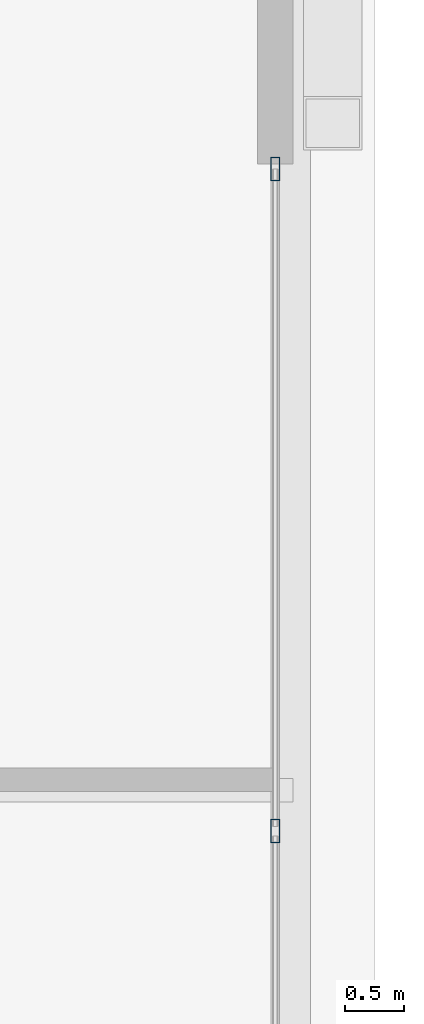
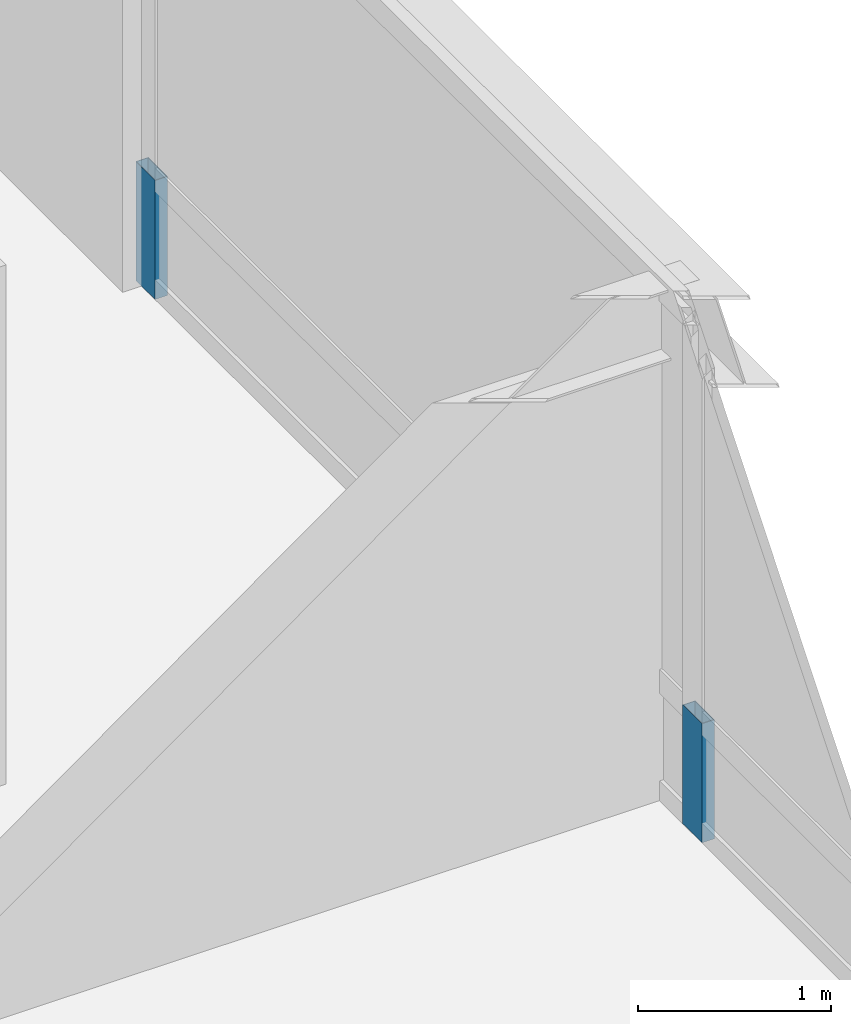
# One storey, part 26 of 35: 2 members, 1 element without a shape of its own.
"""IFC4 building model written with IfcOpenShell, lengths in metres."""

from ifc_helpers import new_model, si_unit, direction, frame, origin, origin_2d, place, context, subcontext, project, spatial, hollow_rectangle, extrude, source, transform, mapped, material, layer, layer_set, material_profile, profile_set, type_object, element, aggregate, save


model = new_model("IFC4")

# Units and contexts
model_context = context("Model", 3, precision=1e-05, world=origin(), true_north=direction((0.0, 1.0)))
body_context = subcontext(model_context, "Body", "Model", "MODEL_VIEW")
ifc_project = project(units=[si_unit("LENGTHUNIT", "METRE"), si_unit("AREAUNIT", "SQUARE_METRE"), si_unit("VOLUMEUNIT", "CUBIC_METRE"), si_unit("PLANEANGLEUNIT", "RADIAN"), si_unit("MASSUNIT", "GRAM", prefix="KILO"), si_unit("THERMODYNAMICTEMPERATUREUNIT", "KELVIN"), si_unit("POWERUNIT", "WATT")], contexts=[model_context])

# Site, building, storey
site_placement = place(None, origin())
site = spatial("IfcSite", under=ifc_project, at=site_placement, CompositionType="ELEMENT")
building_placement = place(site_placement, origin())
building = spatial("IfcBuilding", under=site, at=building_placement, Name="Yuzanri Waterfront Tower", CompositionType="ELEMENT")
storey_placement = place(building_placement, frame((0.0, 0.0, 285.60009765625)))
storey = spatial("IfcBuildingStorey", under=building, at=storey_placement, Name="L76", CompositionType="ELEMENT", Elevation=285.60009765625)

# Curtain wall, members
ifc_material_1 = material(Name="Anodized Architectural Bronze", Category="metal")
ifc_layer = layer(ifc_material_1, 0.159912109375)
ifc_layer_set = layer_set([ifc_layer], Name="Anodized Architectural Bronze")
curtain_wall_type = type_object("IfcCurtainWallType", Name="Anodized Bronze High-Rise Penthouse High-Wind Unitized Curtain Wall 6900", PredefinedType="NOTDEFINED", material=ifc_layer_set)
curtain_wall_placement = place(storey_placement, origin())
curtain_wall = element("IfcCurtainWall", 1, at=curtain_wall_placement, inside=storey, type_object=curtain_wall_type, Name="L76 Curtain Wall CW-L76-ER", PredefinedType="NOTDEFINED")
ifc_material_2 = material(Name="Anodized Architectural Bronze", Category="metal")
ifc_material_profile = material_profile(ifc_material_2, hollow_rectangle(XDim=0.074951171875, YDim=0.199951171875, WallThickness=0.00390625, at=origin_2d()), Name="CWM 75x200")
ifc_profile_set = profile_set([ifc_material_profile], Name="Anodized Architectural Bronze")
member_type = type_object("IfcMemberType", Name="Anodized Bronze Primary Curtain-Wall Mullion 75x200", PredefinedType="MULLION", material=ifc_profile_set)
shared_shape = source(origin(), body_context, "Body", "SweptSolid", [
    extrude(hollow_rectangle(XDim=0.074951171875, YDim=0.199951171875, WallThickness=0.00390625, at=origin_2d()), origin(), (0.0, 0.0, 1.0), 0.751953125),
])
member_1_placement = place(storey_placement, frame((55.949951171875, 31.85009765625, 0.0), z_axis=(0.0, 0.0, 1.0), x_axis=(1.0, 0.0, 0.0)))
member_1 = element("IfcMember", 2, at=member_1_placement, type_object=member_type, Name="CW-L76-ER Lower Mullion 01", PredefinedType="MULLION", context=body_context, shape_type="MappedRepresentation", body=[
    mapped(shared_shape, transform((0.0, 0.0, 0.0), scale=1.0)),
])
member_2_placement = place(storey_placement, frame((55.949951171875, 37.510009765625, 0.0), z_axis=(0.0, 0.0, 1.0), x_axis=(1.0, 0.0, 0.0)))
member_2 = element("IfcMember", 3, at=member_2_placement, type_object=member_type, Name="CW-L76-ER Lower Mullion 02", PredefinedType="MULLION", context=body_context, shape_type="MappedRepresentation", body=[
    mapped(shared_shape, transform((0.0, 0.0, 0.0), scale=1.0)),
])
aggregate(curtain_wall, [member_1, member_2])

save(model, "model.ifc")
